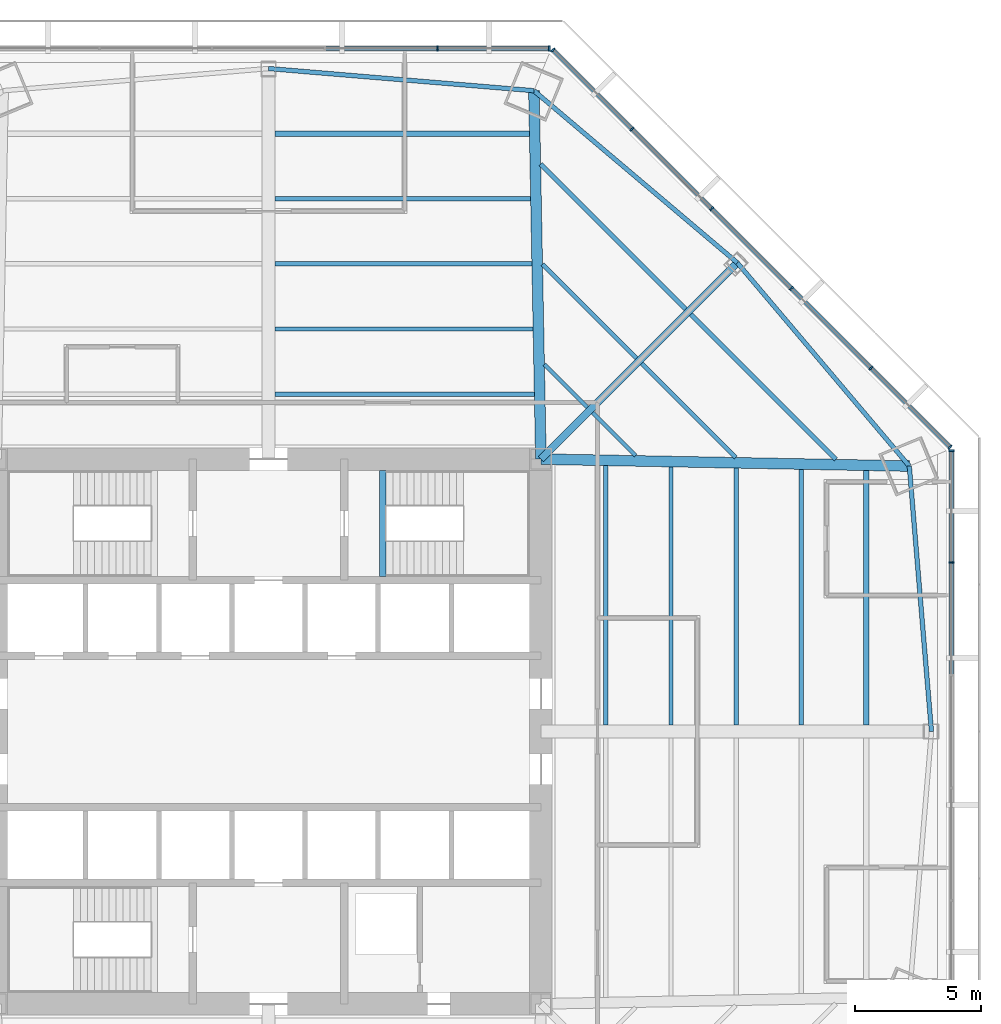
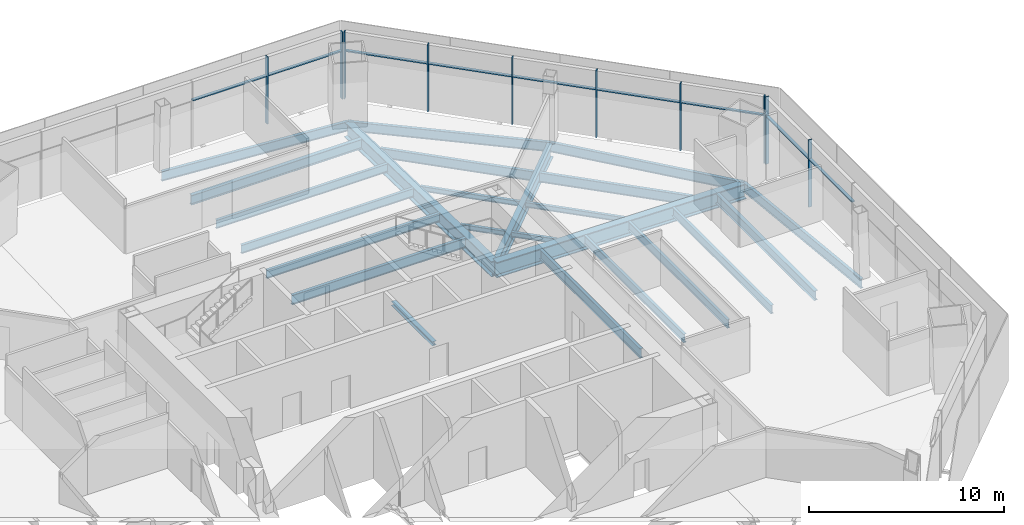
# One storey, part 6 of 14: 24 beams, 19 members, 3 elements without a shape of their own.
"""IFC4 building model written with IfcOpenShell, lengths in metres."""

from ifc_helpers import new_model, si_unit, direction, frame, origin, origin_2d, place, context, subcontext, project, spatial, rectangle, i_section, extrude, source, transform, mapped, material, material_profile, profile_set, type_object, type_shapes, element, aggregate, save


model = new_model("IFC4")

# Units and contexts
model_context = context("Model", 3, precision=1e-05, world=origin(), true_north=direction((0.0, 1.0)))
body_context = subcontext(model_context, "Body", "Model", "MODEL_VIEW")
ifc_project = project(units=[si_unit("LENGTHUNIT", "METRE"), si_unit("AREAUNIT", "SQUARE_METRE"), si_unit("VOLUMEUNIT", "CUBIC_METRE"), si_unit("PLANEANGLEUNIT", "RADIAN"), si_unit("MASSUNIT", "GRAM", prefix="KILO")], contexts=[model_context])

# Site, building, storey
site_placement = place(None, origin())
site = spatial("IfcSite", under=ifc_project, at=site_placement, CompositionType="ELEMENT")
building_placement = place(site_placement, origin())
building = spatial("IfcBuilding", under=site, at=building_placement, Name="Mashrafa Tower", CompositionType="ELEMENT")
storey_placement = place(building_placement, frame((0.0, 0.0, 33.0)))
storey = spatial("IfcBuildingStorey", under=building, at=storey_placement, Name="L06", CompositionType="ELEMENT", Elevation=33.0)

# Beams
ifc_material_1 = material(Name="Steel ASTM A992", Category="steel")
ifc_material_profile_1 = material_profile(ifc_material_1, i_section(OverallWidth=0.164794921875, OverallDepth=0.309814453125, WebThickness=0.005859375, FlangeThickness=0.009765625, FilletRadius=0.007568359375, at=origin_2d()), Name="W12X26")
ifc_profile_set_1 = profile_set([ifc_material_profile_1], Name="Steel ASTM A992")
beam_type_1 = type_object("IfcBeamType", Name="Beam W12X26", PredefinedType="BEAM", material=ifc_profile_set_1)
beam_1_placement = place(storey_placement, frame((10.8662109375, 18.5205078125, -0.31982421875), z_axis=(0.707129994317, -0.707083567294, 0.0), x_axis=(0.707083567294, 0.707129994317, 0.0)))
element("IfcBeam", 1, at=beam_1_placement, inside=storey, type_object=beam_type_1, Name="Floor beam L06 041", PredefinedType="BEAM", context=body_context, shape_type="SweptSolid", body=[
    extrude(i_section(OverallWidth=0.164794921875, OverallDepth=0.309814453125, WebThickness=0.005859375, FlangeThickness=0.009765625, FilletRadius=0.007568359375, at=origin_2d()), origin(), (0.0, 0.0, 1.0), 5.258544921875),
])
for number, where, z_axis, x_axis, name in (
    (2, (10.94140625, 14.55224609375, -0.31982421875), (0.707055904705, -0.707157654008, 0.0), (0.707157654008, 0.707055904705, 0.0), "Floor beam L06 044"),
    (3, (12.85546875, 12.637939453125, -0.31982421875), (0.707157654008, -0.707055904705, 0.0), (0.707055904705, 0.707157654008, 0.0), "Floor beam L06 047"),
):
    element("IfcBeam", number, at=place(storey_placement, frame(where, z_axis=z_axis, x_axis=x_axis)), inside=storey, type_object=beam_type_1, Name=name, PredefinedType="BEAM", context=body_context, shape_type="SweptSolid", body=[
        extrude(i_section(OverallWidth=0.164794921875, OverallDepth=0.309814453125, WebThickness=0.005859375, FlangeThickness=0.009765625, FilletRadius=0.007568359375, at=origin_2d()), origin(), (0.0, 0.0, 1.0), 2.3994140625),
    ])
beam_2_placement = place(storey_placement, frame((14.80224609375, 14.584716796875, -0.31982421875), z_axis=(0.707083567294, -0.707129994317, 0.0), x_axis=(0.707129994317, 0.707083567294, 0.0)))
element("IfcBeam", 4, at=beam_2_placement, inside=storey, type_object=beam_type_1, Name="Floor beam L06 051", PredefinedType="BEAM", context=body_context, shape_type="SweptSolid", body=[
    extrude(i_section(OverallWidth=0.164794921875, OverallDepth=0.309814453125, WebThickness=0.005859375, FlangeThickness=0.009765625, FilletRadius=0.007568359375, at=origin_2d()), origin(), (0.0, 0.0, 1.0), 5.258544921875),
])
ifc_material_2 = material(Name="Steel ASTM A992", Category="steel")
ifc_material_profile_2 = material_profile(ifc_material_2, i_section(OverallWidth=0.165771484375, OverallDepth=0.5283203125, WebThickness=0.009765625, FlangeThickness=0.013671875, FilletRadius=0.012939453125, at=origin_2d()), Name="W21X50")
ifc_profile_set_2 = profile_set([ifc_material_profile_2], Name="Steel ASTM A992")
beam_type_2 = type_object("IfcBeamType", Name="Beam W21X50", PredefinedType="BEAM", material=ifc_profile_set_2)
beam_3_placement = place(storey_placement, frame((0.25, 15.9619140625, -0.42919921875), z_axis=(1.0, 0.0, 0.0), x_axis=(0.0, 1.0, 0.0)))
element("IfcBeam", 5, at=beam_3_placement, inside=storey, type_object=beam_type_2, Name="Floor beam L06 034", PredefinedType="BEAM", context=body_context, shape_type="SweptSolid", body=[
    extrude(i_section(OverallWidth=0.165771484375, OverallDepth=0.5283203125, WebThickness=0.009765625, FlangeThickness=0.013671875, FilletRadius=0.012939453125, at=origin_2d()), origin(), (0.0, 0.0, 1.0), 10.240478515625),
])
beam_4_placement = place(storey_placement, frame((0.25, 18.54296875, -0.42919921875), z_axis=(1.0, 0.0, 0.0), x_axis=(0.0, 1.0, 0.0)))
element("IfcBeam", 6, at=beam_4_placement, inside=storey, type_object=beam_type_2, Name="Floor beam L06 035", PredefinedType="BEAM", context=body_context, shape_type="SweptSolid", body=[
    extrude(i_section(OverallWidth=0.165771484375, OverallDepth=0.5283203125, WebThickness=0.009765625, FlangeThickness=0.013671875, FilletRadius=0.012939453125, at=origin_2d()), origin(), (0.0, 0.0, 1.0), 10.191650390625),
])
beam_5_placement = place(storey_placement, frame((0.25, 21.123779296875, -0.42919921875), z_axis=(1.0, 0.0, 0.0), x_axis=(0.0, 1.0, 0.0)))
element("IfcBeam", 7, at=beam_5_placement, inside=storey, type_object=beam_type_2, Name="Floor beam L06 036", PredefinedType="BEAM", context=body_context, shape_type="SweptSolid", body=[
    extrude(i_section(OverallWidth=0.165771484375, OverallDepth=0.5283203125, WebThickness=0.009765625, FlangeThickness=0.013671875, FilletRadius=0.012939453125, at=origin_2d()), origin(), (0.0, 0.0, 1.0), 10.14306640625),
])
beam_6_placement = place(storey_placement, frame((15.9619140625, 10.490478515625, -0.42919921875), z_axis=(0.0, -1.0, 0.0), x_axis=(1.0, 0.0, 0.0)))
element("IfcBeam", 8, at=beam_6_placement, inside=storey, type_object=beam_type_2, Name="Floor beam L06 054", PredefinedType="BEAM", context=body_context, shape_type="SweptSolid", body=[
    extrude(i_section(OverallWidth=0.165771484375, OverallDepth=0.5283203125, WebThickness=0.009765625, FlangeThickness=0.013671875, FilletRadius=0.012939453125, at=origin_2d()), origin(), (0.0, 0.0, 1.0), 10.240478515625),
])
beam_7_placement = place(storey_placement, frame((18.54296875, 10.441650390625, -0.42919921875), z_axis=(0.0, -1.0, 0.0), x_axis=(1.0, 0.0, 0.0)))
element("IfcBeam", 9, at=beam_7_placement, inside=storey, type_object=beam_type_2, Name="Floor beam L06 058", PredefinedType="BEAM", context=body_context, shape_type="SweptSolid", body=[
    extrude(i_section(OverallWidth=0.165771484375, OverallDepth=0.5283203125, WebThickness=0.009765625, FlangeThickness=0.013671875, FilletRadius=0.012939453125, at=origin_2d()), origin(), (0.0, 0.0, 1.0), 10.191650390625),
])
beam_8_placement = place(storey_placement, frame((21.123779296875, 10.39306640625, -0.42919921875), z_axis=(0.0, -1.0, 0.0), x_axis=(1.0, 0.0, 0.0)))
element("IfcBeam", 10, at=beam_8_placement, inside=storey, type_object=beam_type_2, Name="Floor beam L06 061", PredefinedType="BEAM", context=body_context, shape_type="SweptSolid", body=[
    extrude(i_section(OverallWidth=0.165771484375, OverallDepth=0.5283203125, WebThickness=0.009765625, FlangeThickness=0.013671875, FilletRadius=0.012939453125, at=origin_2d()), origin(), (0.0, 0.0, 1.0), 10.14306640625),
])
ifc_material_3 = material(Name="Steel ASTM A992", Category="steel")
ifc_material_profile_3 = material_profile(ifc_material_3, i_section(OverallWidth=0.177978515625, OverallDepth=0.599365234375, WebThickness=0.010009765625, FlangeThickness=0.012939453125, FilletRadius=0.012939453125, at=origin_2d()), Name="W24X55")
ifc_profile_set_3 = profile_set([ifc_material_profile_3], Name="Steel ASTM A992")
beam_type_3 = type_object("IfcBeamType", Name="Beam W24X55", PredefinedType="BEAM", material=ifc_profile_set_3)
beam_9_placement = place(storey_placement, frame((0.25, 13.381103515625, -0.464599609375), z_axis=(1.0, 0.0, 0.0), x_axis=(0.0, 1.0, 0.0)))
element("IfcBeam", 11, at=beam_9_placement, inside=storey, type_object=beam_type_3, Name="Floor beam L06 033", PredefinedType="BEAM", context=body_context, shape_type="SweptSolid", body=[
    extrude(i_section(OverallWidth=0.177978515625, OverallDepth=0.599365234375, WebThickness=0.010009765625, FlangeThickness=0.012939453125, FilletRadius=0.012939453125, at=origin_2d()), origin(), (0.0, 0.0, 1.0), 10.289306640625),
])
beam_10_placement = place(storey_placement, frame((10.79150390625, 22.489013671875, -0.464599609375), z_axis=(0.70709174356, -0.707121818493, 0.0), x_axis=(0.707121818493, 0.70709174356, 0.0)))
element("IfcBeam", 12, at=beam_10_placement, inside=storey, type_object=beam_type_3, Name="Floor beam L06 039", PredefinedType="BEAM", context=body_context, shape_type="SweptSolid", body=[
    extrude(i_section(OverallWidth=0.177978515625, OverallDepth=0.599365234375, WebThickness=0.010009765625, FlangeThickness=0.012939453125, FilletRadius=0.012939453125, at=origin_2d()), origin(), (0.0, 0.0, 1.0), 8.11767578125),
])
beam_11_placement = place(storey_placement, frame((13.381103515625, 10.539306640625, -0.464599609375), z_axis=(0.0, -1.0, 0.0), x_axis=(1.0, 0.0, 0.0)))
element("IfcBeam", 13, at=beam_11_placement, inside=storey, type_object=beam_type_3, Name="Floor beam L06 049", PredefinedType="BEAM", context=body_context, shape_type="SweptSolid", body=[
    extrude(i_section(OverallWidth=0.177978515625, OverallDepth=0.599365234375, WebThickness=0.010009765625, FlangeThickness=0.012939453125, FilletRadius=0.012939453125, at=origin_2d()), origin(), (0.0, 0.0, 1.0), 10.289306640625),
])
beam_12_placement = place(storey_placement, frame((16.748779296875, 16.531494140625, -0.464599609375), z_axis=(0.707121818493, -0.70709174356, 0.0), x_axis=(0.70709174356, 0.707121818493, 0.0)))
element("IfcBeam", 14, at=beam_12_placement, inside=storey, type_object=beam_type_3, Name="Floor beam L06 056", PredefinedType="BEAM", context=body_context, shape_type="SweptSolid", body=[
    extrude(i_section(OverallWidth=0.177978515625, OverallDepth=0.599365234375, WebThickness=0.010009765625, FlangeThickness=0.012939453125, FilletRadius=0.012939453125, at=origin_2d()), origin(), (0.0, 0.0, 1.0), 8.11767578125),
])
for number, where, z_axis, x_axis, name in (
    (15, (10.524169921875, 25.40771484375, -0.464599609375), (-0.996536664613, 0.083154531343, 0.0), (-0.083154531343, -0.996536664613, 0.0), "Spandrel beam L06 091"),
    (16, (18.5869140625, 18.5869140625, -0.464599609375), (-0.763457307454, 0.645858296916, 0.0), (-0.645858296916, -0.763457307454, 0.0), "Spandrel beam L06 093"),
    (17, (25.40771484375, 10.524169921875, -0.464599609375), (-0.645858296916, 0.763457307454, 0.0), (-0.763457307454, -0.645858296916, 0.0), "Spandrel beam L06 095"),
    (18, (26.285888671875, 0.0, -0.464599609375), (-0.083154531343, 0.996536664613, 0.0), (-0.996536664613, -0.083154531343, 0.0), "Spandrel beam L06 096"),
):
    element("IfcBeam", number, at=place(storey_placement, frame(where, z_axis=z_axis, x_axis=x_axis)), inside=storey, type_object=beam_type_3, Name=name, PredefinedType="BEAM", context=body_context, shape_type="SweptSolid", body=[
        extrude(i_section(OverallWidth=0.177978515625, OverallDepth=0.599365234375, WebThickness=0.010009765625, FlangeThickness=0.012939453125, FilletRadius=0.012939453125, at=origin_2d()), origin(), (0.0, 0.0, 1.0), 10.560791015625),
    ])
ifc_material_4 = material(Name="Steel ASTM A992", Category="steel")
ifc_material_profile_4 = material_profile(ifc_material_4, i_section(OverallWidth=0.227783203125, OverallDepth=0.60205078125, WebThickness=0.010498046875, FlangeThickness=0.014892578125, FilletRadius=0.012939453125, at=origin_2d()), Name="W24X68")
ifc_profile_set_4 = profile_set([ifc_material_profile_4], Name="Steel ASTM A992")
beam_type_4 = type_object("IfcBeamType", Name="Beam W24X68", PredefinedType="BEAM", material=ifc_profile_set_4)
for number, where, z_axis, x_axis, name in (
    (19, (0.25, 23.704833984375, -0.466064453125), (1.0, 0.0, 0.0), (0.0, 1.0, 0.0), "Floor beam L06 037"),
    (20, (23.704833984375, 10.34423828125, -0.466064453125), (0.0, -1.0, 0.0), (1.0, 0.0, 0.0), "Floor beam L06 064"),
):
    element("IfcBeam", number, at=place(storey_placement, frame(where, z_axis=z_axis, x_axis=x_axis)), inside=storey, type_object=beam_type_4, Name=name, PredefinedType="BEAM", context=body_context, shape_type="SweptSolid", body=[
        extrude(i_section(OverallWidth=0.227783203125, OverallDepth=0.60205078125, WebThickness=0.010498046875, FlangeThickness=0.014892578125, FilletRadius=0.012939453125, at=origin_2d()), origin(), (0.0, 0.0, 1.0), 10.09423828125),
    ])
ifc_material_5 = material(Name="Steel ASTM A992", Category="steel")
ifc_material_profile_5 = material_profile(ifc_material_5, i_section(OverallWidth=0.307373046875, OverallDepth=0.927001953125, WebThickness=0.01953125, FlangeThickness=0.031982421875, FilletRadius=0.01904296875, at=origin_2d()), Name="W36X194")
ifc_profile_set_5 = profile_set([ifc_material_profile_5], Name="Steel ASTM A992")
beam_type_5 = type_object("IfcBeamType", Name="Beam W36X194", PredefinedType="BEAM", material=ifc_profile_set_5)
beam_13_placement = place(storey_placement, frame((10.800048828125, 10.800048828125, -0.628662109375), z_axis=(0.707106781187, 0.707106781187, 0.0), x_axis=(-0.707106781187, 0.707106781187, 0.0)))
element("IfcBeam", 21, at=beam_13_placement, inside=storey, type_object=beam_type_5, Name="Radial girder L06 079", PredefinedType="BEAM", context=body_context, shape_type="SweptSolid", body=[
    extrude(i_section(OverallWidth=0.307373046875, OverallDepth=0.927001953125, WebThickness=0.01953125, FlangeThickness=0.031982421875, FilletRadius=0.01904296875, at=origin_2d()), origin(), (0.0, 0.0, 1.0), 11.01220703125),
])
ifc_material_6 = material(Name="Steel ASTM A992", Category="steel")
ifc_material_profile_6 = material_profile(ifc_material_6, i_section(OverallWidth=0.424072265625, OverallDepth=0.960205078125, WebThickness=0.028564453125, FlangeThickness=0.051025390625, FilletRadius=0.02001953125, at=origin_2d()), Name="W36X361")
ifc_profile_set_6 = profile_set([ifc_material_profile_6], Name="Steel ASTM A992")
beam_type_6 = type_object("IfcBeamType", Name="Beam W36X361", PredefinedType="BEAM", material=ifc_profile_set_6)
for number, where, z_axis, x_axis, name in (
    (22, (10.800048828125, 10.800048828125, -0.64501953125), (-0.018882531902, 0.999821709101, 0.0), (-0.999821709101, -0.018882531902, 0.0), "Radial girder L06 078"),
    (23, (10.800048828125, 10.800048828125, -0.64501953125), (0.999821709101, -0.018882531902, 0.0), (0.018882531902, 0.999821709101, 0.0), "Radial girder L06 080"),
):
    element("IfcBeam", number, at=place(storey_placement, frame(where, z_axis=z_axis, x_axis=x_axis)), inside=storey, type_object=beam_type_6, Name=name, PredefinedType="BEAM", context=body_context, shape_type="SweptSolid", body=[
        extrude(i_section(OverallWidth=0.424072265625, OverallDepth=0.960205078125, WebThickness=0.028564453125, FlangeThickness=0.051025390625, FilletRadius=0.02001953125, at=origin_2d()), origin(), (0.0, 0.0, 1.0), 14.6103515625),
    ])
ifc_material_7 = material(Name="Steel ASTM A992", Category="steel")
ifc_material_profile_7 = material_profile(ifc_material_7, i_section(OverallWidth=0.25390625, OverallDepth=0.25390625, WebThickness=0.008544921875, FlangeThickness=0.01416015625, FilletRadius=0.010009765625, at=origin_2d()), Name="W10X49")
ifc_profile_set_7 = profile_set([ifc_material_profile_7], Name="Steel ASTM A992")
beam_type_7 = type_object("IfcBeamType", Name="Hoistway beam W10X49", PredefinedType="BEAM", material=ifc_profile_set_7)
beam_14_placement = place(storey_placement, frame((4.530029296875, 6.14990234375, -0.326904296875), z_axis=(0.0, 1.0, 0.0), x_axis=(-1.0, 0.0, 0.0)))
element("IfcBeam", 24, at=beam_14_placement, inside=storey, type_object=beam_type_7, Name="Stair S2 landing beam L06", PredefinedType="BEAM", context=body_context, shape_type="SweptSolid", body=[
    extrude(i_section(OverallWidth=0.25390625, OverallDepth=0.25390625, WebThickness=0.008544921875, FlangeThickness=0.01416015625, FilletRadius=0.010009765625, at=origin_2d()), origin(), (0.0, 0.0, 1.0), 4.2001953125),
])

# Curtain wall, members
ifc_material_8 = material(Name="Unitised aluminium curtain wall", Category="aluminium")
curtain_wall_type = type_object("IfcCurtainWallType", Name="Office curtain wall, zone 1 CW-A 200 deep", PredefinedType="NOTDEFINED", material=ifc_material_8)
curtain_wall_1_placement = place(storey_placement, origin())
curtain_wall_1 = element("IfcCurtainWall", 25, at=curtain_wall_1_placement, inside=storey, type_object=curtain_wall_type, Name="Office curtain wall, zone 1 L06 east", PredefinedType="NOTDEFINED")
ifc_material_9 = material(Name="Extruded aluminium mullion", Category="aluminium")
ifc_material_profile_8 = material_profile(ifc_material_9, rectangle(XDim=0.199951171875, YDim=0.06494140625, at=origin_2d()), Name="Mullion 65x200")
ifc_profile_set_8 = profile_set([ifc_material_profile_8], Name="Extruded aluminium mullion")
member_type_1 = type_object("IfcMemberType", Name="Mullion CW-A 65 x 200", PredefinedType="MULLION", material=ifc_profile_set_8)
shared_shape_1 = source(origin(), body_context, "Body", "SweptSolid", [
    extrude(rectangle(XDim=0.199951171875, YDim=0.06494140625, at=origin_2d()), origin(), (0.0, 0.0, 1.0), 4.199951171875),
])
type_shapes(member_type_1, [shared_shape_1])
member_1_placement = place(storey_placement, frame((27.081298828125, 6.69970703125, 0.0), z_axis=(0.0, 0.0, 1.0), x_axis=(-1.0, 0.0, 0.0)))
member_1 = element("IfcMember", 26, at=member_1_placement, type_object=member_type_1, Name="CW-A mullion 5", PredefinedType="MULLION", context=body_context, shape_type="MappedRepresentation", body=[
    mapped(shared_shape_1, transform((0.0, 0.0, 0.0))),
])
member_2_placement = place(storey_placement, frame((27.081298828125, 11.133544921875, 0.0), z_axis=(0.0, 0.0, 1.0), x_axis=(-1.0, 0.0, 0.0)))
member_2 = element("IfcMember", 27, at=member_2_placement, type_object=member_type_1, Name="CW-A mullion 6", PredefinedType="MULLION", context=body_context, shape_type="MappedRepresentation", body=[
    mapped(shared_shape_1, transform((0.0, 0.0, 0.0))),
])

curtain_wall_2_placement = place(storey_placement, origin())
curtain_wall_2 = element("IfcCurtainWall", 28, at=curtain_wall_2_placement, inside=storey, type_object=curtain_wall_type, Name="Office curtain wall, zone 1 L06 north-east", PredefinedType="NOTDEFINED")
member_3_placement = place(storey_placement, frame((27.021728515625, 11.27685546875, 0.0), z_axis=(0.0, 0.0, 1.0), x_axis=(-0.707106781187, -0.707106781187, 0.0)))
member_3 = element("IfcMember", 29, at=member_3_placement, type_object=member_type_1, Name="CW-A mullion 1", PredefinedType="MULLION", context=body_context, shape_type="MappedRepresentation", body=[
    mapped(shared_shape_1, transform((0.0, 0.0, 0.0))),
])
member_4_placement = place(storey_placement, frame((23.88671875, 14.411865234375, 0.0), z_axis=(0.0, 0.0, 1.0), x_axis=(-0.707106781187, -0.707106781187, 0.0)))
member_4 = element("IfcMember", 30, at=member_4_placement, type_object=member_type_1, Name="CW-A mullion 2", PredefinedType="MULLION", context=body_context, shape_type="MappedRepresentation", body=[
    mapped(shared_shape_1, transform((0.0, 0.0, 0.0))),
])
member_5_placement = place(storey_placement, frame((20.728515625, 17.570068359375, 0.0), z_axis=(0.0, 0.0, 1.0), x_axis=(-0.707106781187, -0.707106781187, 0.0)))
member_5 = element("IfcMember", 31, at=member_5_placement, type_object=member_type_1, Name="CW-A mullion 3", PredefinedType="MULLION", context=body_context, shape_type="MappedRepresentation", body=[
    mapped(shared_shape_1, transform((0.0, 0.0, 0.0))),
])
member_6_placement = place(storey_placement, frame((17.570068359375, 20.728515625, 0.0), z_axis=(0.0, 0.0, 1.0), x_axis=(-0.707106781187, -0.707106781187, 0.0)))
member_6 = element("IfcMember", 32, at=member_6_placement, type_object=member_type_1, Name="CW-A mullion 4", PredefinedType="MULLION", context=body_context, shape_type="MappedRepresentation", body=[
    mapped(shared_shape_1, transform((0.0, 0.0, 0.0))),
])
member_7_placement = place(storey_placement, frame((14.411865234375, 23.88671875, 0.0), z_axis=(0.0, 0.0, 1.0), x_axis=(-0.707106781187, -0.707106781187, 0.0)))
member_7 = element("IfcMember", 33, at=member_7_placement, type_object=member_type_1, Name="CW-A mullion 5", PredefinedType="MULLION", context=body_context, shape_type="MappedRepresentation", body=[
    mapped(shared_shape_1, transform((0.0, 0.0, 0.0))),
])
member_8_placement = place(storey_placement, frame((11.27685546875, 27.021728515625, 0.0), z_axis=(0.0, 0.0, 1.0), x_axis=(-0.707106781187, -0.707106781187, 0.0)))
member_8 = element("IfcMember", 34, at=member_8_placement, type_object=member_type_1, Name="CW-A mullion 6", PredefinedType="MULLION", context=body_context, shape_type="MappedRepresentation", body=[
    mapped(shared_shape_1, transform((0.0, 0.0, 0.0))),
])

curtain_wall_3_placement = place(storey_placement, origin())
curtain_wall_3 = element("IfcCurtainWall", 35, at=curtain_wall_3_placement, inside=storey, type_object=curtain_wall_type, Name="Office curtain wall, zone 1 L06 north", PredefinedType="NOTDEFINED")
member_9_placement = place(storey_placement, frame((11.133544921875, 27.081298828125, 0.0), z_axis=(0.0, 0.0, 1.0), x_axis=(0.0, -1.0, 0.0)))
member_9 = element("IfcMember", 36, at=member_9_placement, type_object=member_type_1, Name="CW-A mullion 1", PredefinedType="MULLION", context=body_context, shape_type="MappedRepresentation", body=[
    mapped(shared_shape_1, transform((0.0, 0.0, 0.0))),
])
member_10_placement = place(storey_placement, frame((6.69970703125, 27.081298828125, 0.0), z_axis=(0.0, 0.0, 1.0), x_axis=(0.0, -1.0, 0.0)))
member_10 = element("IfcMember", 37, at=member_10_placement, type_object=member_type_1, Name="CW-A mullion 2", PredefinedType="MULLION", context=body_context, shape_type="MappedRepresentation", body=[
    mapped(shared_shape_1, transform((0.0, 0.0, 0.0))),
])

# Member
ifc_material_10 = material(Name="Extruded aluminium transom", Category="aluminium")
ifc_material_profile_9 = material_profile(ifc_material_10, rectangle(XDim=0.159912109375, YDim=0.080078125, at=origin_2d()), Name="Transom 80x160")
ifc_profile_set_9 = profile_set([ifc_material_profile_9], Name="Extruded aluminium transom")
member_type_2 = type_object("IfcMemberType", Name="Transom CW-A 80 x 160", PredefinedType="MULLION", material=ifc_profile_set_9)
shared_shape_2 = source(origin(), body_context, "Body", "SweptSolid", [
    extrude(rectangle(XDim=0.159912109375, YDim=0.080078125, at=origin_2d()), origin(), (0.0, 0.0, 1.0), 4.368896484375),
])
member_11_placement = place(storey_placement, frame((27.081298828125, 6.732177734375, 3.0), z_axis=(0.0, 1.0, 0.0), x_axis=(-1.0, 0.0, 0.0)))
member_11 = element("IfcMember", 38, at=member_11_placement, type_object=member_type_2, Name="CW-A transom 5", PredefinedType="MULLION", context=body_context, shape_type="MappedRepresentation", body=[
    mapped(shared_shape_2, transform((0.0, 0.0, 0.0))),
])

member_12_placement = place(storey_placement, frame((11.10107421875, 27.081298828125, 3.0), z_axis=(-1.0, 0.0, 0.0), x_axis=(0.0, -1.0, 0.0)))
member_12 = element("IfcMember", 39, at=member_12_placement, type_object=member_type_2, Name="CW-A transom 1", PredefinedType="MULLION", context=body_context, shape_type="MappedRepresentation", body=[
    mapped(shared_shape_2, transform((0.0, 0.0, 0.0))),
])

shared_shape_3 = source(origin(), body_context, "Body", "SweptSolid", [
    extrude(rectangle(XDim=0.159912109375, YDim=0.080078125, at=origin_2d()), origin(), (0.0, 0.0, 1.0), 4.4013671875),
])
member_13_placement = place(storey_placement, frame((27.081298828125, 2.265625, 3.0), z_axis=(0.0, 1.0, 0.0), x_axis=(-1.0, 0.0, 0.0)))
member_13 = element("IfcMember", 40, at=member_13_placement, type_object=member_type_2, Name="CW-A transom 4", PredefinedType="MULLION", context=body_context, shape_type="MappedRepresentation", body=[
    mapped(shared_shape_3, transform((0.0, 0.0, 0.0))),
])

aggregate(curtain_wall_1, [member_1, member_2, member_13, member_11])

member_14_placement = place(storey_placement, frame((6.6669921875, 27.081298828125, 3.0), z_axis=(-1.0, 0.0, 0.0), x_axis=(0.0, -1.0, 0.0)))
member_14 = element("IfcMember", 41, at=member_14_placement, type_object=member_type_2, Name="CW-A transom 2", PredefinedType="MULLION", context=body_context, shape_type="MappedRepresentation", body=[
    mapped(shared_shape_3, transform((0.0, 0.0, 0.0))),
])

aggregate(curtain_wall_3, [member_9, member_10, member_12, member_14])

shared_shape_4 = source(origin(), body_context, "Body", "SweptSolid", [
    extrude(rectangle(XDim=0.159912109375, YDim=0.080078125, at=origin_2d()), origin(), (0.0, 0.0, 1.0), 4.36865234375),
])
member_15_placement = place(storey_placement, frame((26.998779296875, 11.2998046875, 3.0), z_axis=(-0.707106781187, 0.707106781187, 0.0), x_axis=(-0.707106781187, -0.707106781187, 0.0)))
member_15 = element("IfcMember", 42, at=member_15_placement, type_object=member_type_2, Name="CW-A transom 1", PredefinedType="MULLION", context=body_context, shape_type="MappedRepresentation", body=[
    mapped(shared_shape_4, transform((0.0, 0.0, 0.0))),
])

member_16_placement = place(storey_placement, frame((14.388916015625, 23.90966796875, 3.0), z_axis=(-0.707106781187, 0.707106781187, 0.0), x_axis=(-0.707106781187, -0.707106781187, 0.0)))
member_16 = element("IfcMember", 43, at=member_16_placement, type_object=member_type_2, Name="CW-A transom 5", PredefinedType="MULLION", context=body_context, shape_type="MappedRepresentation", body=[
    mapped(shared_shape_4, transform((0.0, 0.0, 0.0))),
])

shared_shape_5 = source(origin(), body_context, "Body", "SweptSolid", [
    extrude(rectangle(XDim=0.159912109375, YDim=0.080078125, at=origin_2d()), origin(), (0.0, 0.0, 1.0), 4.401123046875),
])
type_shapes(member_type_2, [shared_shape_2, shared_shape_3, shared_shape_4, shared_shape_5])
member_17_placement = place(storey_placement, frame((23.863525390625, 14.43505859375, 3.0), z_axis=(-0.707106781187, 0.707106781187, 0.0), x_axis=(-0.707106781187, -0.707106781187, 0.0)))
member_17 = element("IfcMember", 44, at=member_17_placement, type_object=member_type_2, Name="CW-A transom 2", PredefinedType="MULLION", context=body_context, shape_type="MappedRepresentation", body=[
    mapped(shared_shape_5, transform((0.0, 0.0, 0.0))),
])

member_18_placement = place(storey_placement, frame((20.705322265625, 17.59326171875, 3.0), z_axis=(-0.707106781187, 0.707106781187, 0.0), x_axis=(-0.707106781187, -0.707106781187, 0.0)))
member_18 = element("IfcMember", 45, at=member_18_placement, type_object=member_type_2, Name="CW-A transom 3", PredefinedType="MULLION", context=body_context, shape_type="MappedRepresentation", body=[
    mapped(shared_shape_5, transform((0.0, 0.0, 0.0))),
])

member_19_placement = place(storey_placement, frame((17.547119140625, 20.75146484375, 3.0), z_axis=(-0.707106781187, 0.707106781187, 0.0), x_axis=(-0.707106781187, -0.707106781187, 0.0)))
member_19 = element("IfcMember", 46, at=member_19_placement, type_object=member_type_2, Name="CW-A transom 4", PredefinedType="MULLION", context=body_context, shape_type="MappedRepresentation", body=[
    mapped(shared_shape_5, transform((0.0, 0.0, 0.0))),
])

aggregate(curtain_wall_2, [member_3, member_4, member_5, member_6, member_7, member_8, member_15, member_17, member_18, member_19, member_16])

save(model, "model.ifc")
